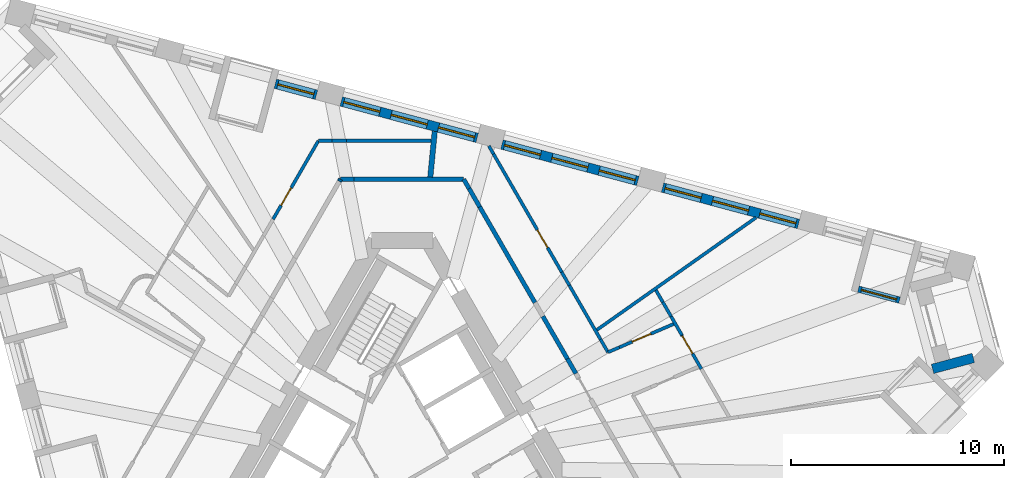
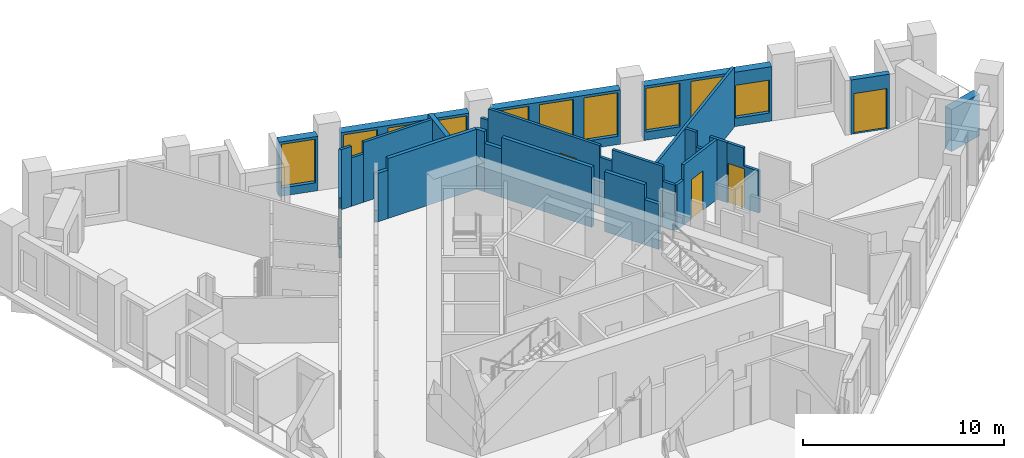
# One storey, part 8 of 13: 31 walls, 10 windows, 5 doors, 15 openings.
"""IFC4 building model written with IfcOpenShell, lengths in metres."""

from ifc_helpers import new_model, si_unit, direction, frame, frame_2d, origin, place, context, subcontext, project, spatial, polyline, rectangle, outline, extrude, material, layer, layer_set, type_object, element, fill, save


model = new_model("IFC4")

# Units and contexts
model_context = context("Model", 3, precision=1e-05, world=origin(), true_north=direction((0.0, 1.0)))
body_context = subcontext(model_context, "Body", "Model", "MODEL_VIEW")
ifc_project = project(units=[si_unit("LENGTHUNIT", "METRE"), si_unit("AREAUNIT", "SQUARE_METRE"), si_unit("VOLUMEUNIT", "CUBIC_METRE"), si_unit("PLANEANGLEUNIT", "RADIAN"), si_unit("MASSUNIT", "GRAM", prefix="KILO")], contexts=[model_context])

# Site, building, storey
site_placement = place(None, origin())
site = spatial("IfcSite", under=ifc_project, at=site_placement, CompositionType="ELEMENT")
building_placement = place(site_placement, origin())
building = spatial("IfcBuilding", under=site, at=building_placement, Name="Tramontana Tower", CompositionType="ELEMENT")
storey_placement = place(building_placement, frame((0.0, 0.0, 216.0)))
storey = spatial("IfcBuildingStorey", under=building, at=storey_placement, Name="L50", CompositionType="ELEMENT", Elevation=216.0)

# Walls
ifc_material_1 = material(Name="Blockwork", Category="masonry")
ifc_layer_1 = layer(ifc_material_1, 0.199951171875)
ifc_layer_set_1 = layer_set([ifc_layer_1], Name="ENTRY WALL 200")
wall_type_1 = type_object("IfcWallType", Name="ENTRY WALL 200", PredefinedType="SOLIDWALL", material=ifc_layer_set_1)
wall_1_placement = place(storey_placement, frame((2.88671875, 13.5, 0.0), z_axis=(0.0, 0.0, 1.0), x_axis=(0.500002592159, -0.866023907196, 0.0)))
element("IfcWall", 1, at=wall_1_placement, inside=storey, type_object=wall_type_1, Name="Wall v51-ew0-0", PredefinedType="SOLIDWALL", context=body_context, shape_type="SweptSolid", body=[
    extrude(rectangle(XDim=0.5029296875, YDim=0.199951171875, at=frame_2d((0.25146484375, 0.0))), origin(), (0.0, 0.0, 1.0), 3.64990234375),
])
wall_2_placement = place(storey_placement, frame((3.13818359375, 13.064453125, 0.0), z_axis=(0.0, 0.0, 1.0), x_axis=(0.500063959222, -0.865988473761, 0.0)))
element("IfcWall", 2, at=wall_2_placement, inside=storey, type_object=wall_type_1, Name="Wall v51-ew0-1", PredefinedType="SOLIDWALL", context=body_context, shape_type="SweptSolid", body=[
    extrude(rectangle(XDim=0.989990234375, YDim=0.199951171875, at=frame_2d((0.4951171875, 0.0))), origin(), (0.0, 0.0, 1.0), 2.949951171875),
])
wall_3_placement = place(storey_placement, frame((3.63330078125, 12.20703125, 0.0), z_axis=(0.0, 0.0, 1.0), x_axis=(0.499990271856, -0.866031020258, 0.0)))
element("IfcWall", 3, at=wall_3_placement, inside=storey, type_object=wall_type_1, Name="Wall v51-ew0-2", PredefinedType="SOLIDWALL", context=body_context, shape_type="SweptSolid", body=[
    extrude(rectangle(XDim=5.181640625, YDim=0.199951171875, at=frame_2d((2.5908203125, 0.0))), origin(), (0.0, 0.0, 1.0), 3.64990234375),
])
wall_4_placement = place(storey_placement, frame((6.594482421875, 7.077880859375, 0.0), z_axis=(0.0, 0.0, 1.0), x_axis=(0.500013761451, -0.866017458461, 0.0)))
element("IfcWall", 4, at=wall_4_placement, inside=storey, type_object=wall_type_1, Name="Wall v51-ew0-4", PredefinedType="SOLIDWALL", context=body_context, shape_type="SweptSolid", body=[
    extrude(rectangle(XDim=2.29736328125, YDim=0.199951171875, at=frame_2d((1.148681640625, 0.0))), origin(), (0.0, 0.0, 1.0), 3.64990234375),
])
wall_5_placement = place(storey_placement, frame((7.7431640625, 5.08837890625, 0.0), z_axis=(0.0, 0.0, 1.0), x_axis=(0.500109828528, -0.865961984968, 0.0)))
element("IfcWall", 5, at=wall_5_placement, inside=storey, type_object=wall_type_1, Name="Wall v51-ew0-5", PredefinedType="SOLIDWALL", context=body_context, shape_type="SweptSolid", body=[
    extrude(rectangle(XDim=0.800048828125, YDim=0.199951171875, at=frame_2d((0.39990234375, 0.0))), origin(), (0.0, 0.0, 1.0), 2.75),
])
wall_6_placement = place(storey_placement, frame((-2.939208984375, 13.4091796875, 0.0), z_axis=(0.0, 0.0, 1.0), x_axis=(0.500393920955, 0.865797853931, 0.0)))
element("IfcWall", 6, at=wall_6_placement, inside=storey, type_object=wall_type_1, Name="Wall v51-ew4-13", PredefinedType="SOLIDWALL", context=body_context, shape_type="SweptSolid", body=[
    extrude(rectangle(XDim=0.10498046875, YDim=0.199951171875, at=frame_2d((0.052490234375, 0.0))), origin(), (0.0, 0.0, 1.0), 2.949951171875),
])
wall_7_placement = place(storey_placement, frame((-2.88671875, 13.5, 0.0), z_axis=(0.0, 0.0, 1.0), x_axis=(1.0, 0.0, 0.0)))
element("IfcWall", 7, at=wall_7_placement, inside=storey, type_object=wall_type_1, Name="Wall v51-ew5-0", PredefinedType="SOLIDWALL", context=body_context, shape_type="SweptSolid", body=[
    extrude(rectangle(XDim=0.642822265625, YDim=0.199951171875, at=frame_2d((0.3212890625, 0.0))), origin(), (0.0, 0.0, 1.0), 2.949951171875),
])
wall_8_placement = place(storey_placement, frame((-2.243896484375, 13.5, 0.0), z_axis=(0.0, 0.0, 1.0), x_axis=(1.0, 0.0, 0.0)))
element("IfcWall", 8, at=wall_8_placement, inside=storey, type_object=wall_type_1, Name="Wall v51-ew5-1", PredefinedType="SOLIDWALL", context=body_context, shape_type="SweptSolid", body=[
    extrude(rectangle(XDim=5.130615234375, YDim=0.199951171875, at=frame_2d((2.5654296875, 0.0))), origin(), (0.0, 0.0, 1.0), 3.64990234375),
])

# Wall, openings, windows
ifc_material_2 = material(Name="Precast concrete 60 MPa", Category="concrete")
ifc_layer_2 = layer(ifc_material_2, 0.449951171875)
ifc_layer_set_2 = layer_set([ifc_layer_2], Name="Precast concrete 60 MPa, 450 mm")
wall_type_2 = type_object("IfcWallType", Name="EW1 Stone-faced precast wall 450", PredefinedType="SOLIDWALL", material=ifc_layer_set_2)
wall_9_placement = place(storey_placement, frame((18.573486328125, 11.406494140625, 0.0), z_axis=(0.0, 0.0, 1.0), x_axis=(-0.965921443251, 0.258835402268, 0.0)))
wall_9 = element("IfcWall", 9, at=wall_9_placement, inside=storey, type_object=wall_type_2, Name="External wall L50 face 2 bay 2", PredefinedType="SOLIDWALL", context=body_context, shape_type="SweptSolid", body=[
    extrude(rectangle(XDim=6.593994140625, YDim=0.449951171875, at=frame_2d((3.296875, 0.0))), origin(), (0.0, 0.0, 1.0), 3.300048828125),
])
opening_1_placement = place(wall_9_placement, frame((0.1240234375, 0.0, 0.5)))
opening_1 = element("IfcOpeningElement", 10, at=opening_1_placement, cuts=wall_9, Name="Opening M2L", PredefinedType="OPENING", context=body_context, shape_type="SweptSolid", body=[
    extrude(rectangle(XDim=1.75, YDim=2.0, at=frame_2d((0.875, 1.0))), frame((0.0, 0.23486328125, 0.0), z_axis=(0.0, -1.0, 0.0), x_axis=(1.0, 0.0, 0.0)), (0.0, 0.0, 1.0), 0.469970703125),
])
opening_2_placement = place(wall_9_placement, frame((2.422119140625, 0.0, 0.5)))
opening_2 = element("IfcOpeningElement", 11, at=opening_2_placement, cuts=wall_9, Name="Opening M2", PredefinedType="OPENING", context=body_context, shape_type="SweptSolid", body=[
    extrude(rectangle(XDim=1.75, YDim=2.64990234375, at=frame_2d((0.875, 1.324951171875))), frame((0.0, 0.23486328125, 0.0), z_axis=(0.0, -1.0, 0.0), x_axis=(1.0, 0.0, 0.0)), (0.0, 0.0, 1.0), 0.469970703125),
])
opening_3_placement = place(wall_9_placement, frame((4.72021484375, 0.0, 0.5)))
opening_3 = element("IfcOpeningElement", 12, at=opening_3_placement, cuts=wall_9, Name="Opening M2", PredefinedType="OPENING", context=body_context, shape_type="SweptSolid", body=[
    extrude(rectangle(XDim=1.75, YDim=2.64990234375, at=frame_2d((0.875, 1.324951171875))), frame((0.0, 0.23486328125, 0.0), z_axis=(0.0, -1.0, 0.0), x_axis=(1.0, 0.0, 0.0)), (0.0, 0.0, 1.0), 0.469970703125),
])
ifc_material_3 = material(Name="Aluminum frame, double glazing unit", Category="aluminium")
window_type_1 = type_object("IfcWindowType", Name="M2 Window 1.75 x 2.65", PartitioningType="SINGLE_PANEL", PredefinedType="WINDOW", material=ifc_material_3)
window_1_placement = place(opening_2_placement, origin())
window_1 = element("IfcWindow", 13, at=window_1_placement, inside=storey, type_object=window_type_1, Name="Window M2 L50 face 2 module 5", OverallHeight=2.64990234375, OverallWidth=1.75, PartitioningType="SINGLE_PANEL", PredefinedType="WINDOW", context=body_context, shape_type="SweptSolid", body=[
    extrude(rectangle(XDim=1.75, YDim=2.64990234375, at=frame_2d((0.875, 1.324951171875))), frame((0.0, 0.030029296875, 0.0), z_axis=(0.0, -1.0, 0.0), x_axis=(1.0, 0.0, 0.0)), (0.0, 0.0, 1.0), 0.06005859375),
])
fill(opening_2, window_1)
window_2_placement = place(opening_3_placement, origin())
window_2 = element("IfcWindow", 14, at=window_2_placement, inside=storey, type_object=window_type_1, Name="Window M2 L50 face 2 module 6", OverallHeight=2.64990234375, OverallWidth=1.75, PartitioningType="SINGLE_PANEL", PredefinedType="WINDOW", context=body_context, shape_type="SweptSolid", body=[
    extrude(rectangle(XDim=1.75, YDim=2.64990234375, at=frame_2d((0.875, 1.324951171875))), frame((0.0, 0.030029296875, 0.0), z_axis=(0.0, -1.0, 0.0), x_axis=(1.0, 0.0, 0.0)), (0.0, 0.0, 1.0), 0.06005859375),
])
fill(opening_3, window_2)
ifc_material_4 = material(Name="Aluminum frame, double glazing unit", Category="aluminium")
window_type_2 = type_object("IfcWindowType", Name="M2L Window 1.75 x 2", PartitioningType="SINGLE_PANEL", PredefinedType="WINDOW", material=ifc_material_4)
window_3_placement = place(opening_1_placement, origin())
window_3 = element("IfcWindow", 15, at=window_3_placement, inside=storey, type_object=window_type_2, Name="Window M2L L50 face 2 module 4", OverallHeight=2.0, OverallWidth=1.75, PartitioningType="SINGLE_PANEL", PredefinedType="WINDOW", context=body_context, shape_type="SweptSolid", body=[
    extrude(rectangle(XDim=1.75, YDim=2.0, at=frame_2d((0.875, 1.0))), frame((0.0, 0.030029296875, 0.0), z_axis=(0.0, -1.0, 0.0), x_axis=(1.0, 0.0, 0.0)), (0.0, 0.0, 1.0), 0.06005859375),
])
fill(opening_1, window_3)

wall_10_placement = place(storey_placement, frame((11.044921875, 13.423828125, 0.0), z_axis=(0.0, 0.0, 1.0), x_axis=(-0.965933178973, 0.258791602952, 0.0)))
wall_10 = element("IfcWall", 16, at=wall_10_placement, inside=storey, type_object=wall_type_2, Name="External wall L50 face 2 bay 3", PredefinedType="SOLIDWALL", context=body_context, shape_type="SweptSolid", body=[
    extrude(rectangle(XDim=6.59423828125, YDim=0.449951171875, at=frame_2d((3.297119140625, 0.0))), origin(), (0.0, 0.0, 1.0), 3.300048828125),
])
opening_4_placement = place(wall_10_placement, frame((0.1240234375, 0.0, 0.5)))
opening_4 = element("IfcOpeningElement", 17, at=opening_4_placement, cuts=wall_10, Name="Opening M2", PredefinedType="OPENING", context=body_context, shape_type="SweptSolid", body=[
    extrude(rectangle(XDim=1.75, YDim=2.64990234375, at=frame_2d((0.875, 1.324951171875))), frame((0.0, 0.23486328125, 0.0), z_axis=(0.0, -1.0, 0.0), x_axis=(1.0, 0.0, 0.0)), (0.0, 0.0, 1.0), 0.469970703125),
])
opening_5_placement = place(wall_10_placement, frame((2.422119140625, 0.0, 0.5)))
opening_5 = element("IfcOpeningElement", 18, at=opening_5_placement, cuts=wall_10, Name="Opening M2", PredefinedType="OPENING", context=body_context, shape_type="SweptSolid", body=[
    extrude(rectangle(XDim=1.75, YDim=2.64990234375, at=frame_2d((0.875, 1.324951171875))), frame((0.0, 0.23486328125, 0.0), z_axis=(0.0, -1.0, 0.0), x_axis=(1.0, 0.0, 0.0)), (0.0, 0.0, 1.0), 0.469970703125),
])
opening_6_placement = place(wall_10_placement, frame((4.72021484375, 0.0, 0.5)))
opening_6 = element("IfcOpeningElement", 19, at=opening_6_placement, cuts=wall_10, Name="Opening M2", PredefinedType="OPENING", context=body_context, shape_type="SweptSolid", body=[
    extrude(rectangle(XDim=1.75, YDim=2.64990234375, at=frame_2d((0.875, 1.324951171875))), frame((0.0, 0.23486328125, 0.0), z_axis=(0.0, -1.0, 0.0), x_axis=(1.0, 0.0, 0.0)), (0.0, 0.0, 1.0), 0.469970703125),
])
window_4_placement = place(opening_4_placement, origin())
window_4 = element("IfcWindow", 20, at=window_4_placement, inside=storey, type_object=window_type_1, Name="Window M2 L50 face 2 module 7", OverallHeight=2.64990234375, OverallWidth=1.75, PartitioningType="SINGLE_PANEL", PredefinedType="WINDOW", context=body_context, shape_type="SweptSolid", body=[
    extrude(rectangle(XDim=1.75, YDim=2.64990234375, at=frame_2d((0.875, 1.324951171875))), frame((0.0, 0.030029296875, 0.0), z_axis=(0.0, -1.0, 0.0), x_axis=(1.0, 0.0, 0.0)), (0.0, 0.0, 1.0), 0.06005859375),
])
fill(opening_4, window_4)
window_5_placement = place(opening_5_placement, origin())
window_5 = element("IfcWindow", 21, at=window_5_placement, inside=storey, type_object=window_type_1, Name="Window M2 L50 face 2 module 8", OverallHeight=2.64990234375, OverallWidth=1.75, PartitioningType="SINGLE_PANEL", PredefinedType="WINDOW", context=body_context, shape_type="SweptSolid", body=[
    extrude(rectangle(XDim=1.75, YDim=2.64990234375, at=frame_2d((0.875, 1.324951171875))), frame((0.0, 0.030029296875, 0.0), z_axis=(0.0, -1.0, 0.0), x_axis=(1.0, 0.0, 0.0)), (0.0, 0.0, 1.0), 0.06005859375),
])
fill(opening_5, window_5)
window_6_placement = place(opening_6_placement, origin())
window_6 = element("IfcWindow", 22, at=window_6_placement, inside=storey, type_object=window_type_1, Name="Window M2 L50 face 2 module 9", OverallHeight=2.64990234375, OverallWidth=1.75, PartitioningType="SINGLE_PANEL", PredefinedType="WINDOW", context=body_context, shape_type="SweptSolid", body=[
    extrude(rectangle(XDim=1.75, YDim=2.64990234375, at=frame_2d((0.875, 1.324951171875))), frame((0.0, 0.030029296875, 0.0), z_axis=(0.0, -1.0, 0.0), x_axis=(1.0, 0.0, 0.0)), (0.0, 0.0, 1.0), 0.06005859375),
])
fill(opening_6, window_6)

wall_11_placement = place(storey_placement, frame((3.516357421875, 15.441162109375, 0.0), z_axis=(0.0, 0.0, 1.0), x_axis=(-0.965933178973, 0.258791602952, 0.0)))
wall_11 = element("IfcWall", 23, at=wall_11_placement, inside=storey, type_object=wall_type_2, Name="External wall L50 face 2 bay 4", PredefinedType="SOLIDWALL", context=body_context, shape_type="SweptSolid", body=[
    extrude(rectangle(XDim=6.59423828125, YDim=0.449951171875, at=frame_2d((3.297119140625, 0.0))), origin(), (0.0, 0.0, 1.0), 3.300048828125),
])
opening_7_placement = place(wall_11_placement, frame((0.1240234375, 0.0, 0.5)))
opening_7 = element("IfcOpeningElement", 24, at=opening_7_placement, cuts=wall_11, Name="Opening M2", PredefinedType="OPENING", context=body_context, shape_type="SweptSolid", body=[
    extrude(rectangle(XDim=1.75, YDim=2.64990234375, at=frame_2d((0.875, 1.324951171875))), frame((0.0, 0.23486328125, 0.0), z_axis=(0.0, -1.0, 0.0), x_axis=(1.0, 0.0, 0.0)), (0.0, 0.0, 1.0), 0.469970703125),
])
opening_8_placement = place(wall_11_placement, frame((2.422119140625, 0.0, 0.5)))
opening_8 = element("IfcOpeningElement", 25, at=opening_8_placement, cuts=wall_11, Name="Opening M2", PredefinedType="OPENING", context=body_context, shape_type="SweptSolid", body=[
    extrude(rectangle(XDim=1.75, YDim=2.64990234375, at=frame_2d((0.875, 1.324951171875))), frame((0.0, 0.23486328125, 0.0), z_axis=(0.0, -1.0, 0.0), x_axis=(1.0, 0.0, 0.0)), (0.0, 0.0, 1.0), 0.469970703125),
])
opening_9_placement = place(wall_11_placement, frame((4.72021484375, 0.0, 0.5)))
opening_9 = element("IfcOpeningElement", 26, at=opening_9_placement, cuts=wall_11, Name="Opening M2", PredefinedType="OPENING", context=body_context, shape_type="SweptSolid", body=[
    extrude(rectangle(XDim=1.75, YDim=2.64990234375, at=frame_2d((0.875, 1.324951171875))), frame((0.0, 0.23486328125, 0.0), z_axis=(0.0, -1.0, 0.0), x_axis=(1.0, 0.0, 0.0)), (0.0, 0.0, 1.0), 0.469970703125),
])
window_7_placement = place(opening_7_placement, origin())
window_7 = element("IfcWindow", 27, at=window_7_placement, inside=storey, type_object=window_type_1, Name="Window M2 L50 face 2 module 10", OverallHeight=2.64990234375, OverallWidth=1.75, PartitioningType="SINGLE_PANEL", PredefinedType="WINDOW", context=body_context, shape_type="SweptSolid", body=[
    extrude(rectangle(XDim=1.75, YDim=2.64990234375, at=frame_2d((0.875, 1.324951171875))), frame((0.0, 0.030029296875, 0.0), z_axis=(0.0, -1.0, 0.0), x_axis=(1.0, 0.0, 0.0)), (0.0, 0.0, 1.0), 0.06005859375),
])
fill(opening_7, window_7)
window_8_placement = place(opening_8_placement, origin())
window_8 = element("IfcWindow", 28, at=window_8_placement, inside=storey, type_object=window_type_1, Name="Window M2 L50 face 2 module 11", OverallHeight=2.64990234375, OverallWidth=1.75, PartitioningType="SINGLE_PANEL", PredefinedType="WINDOW", context=body_context, shape_type="SweptSolid", body=[
    extrude(rectangle(XDim=1.75, YDim=2.64990234375, at=frame_2d((0.875, 1.324951171875))), frame((0.0, 0.030029296875, 0.0), z_axis=(0.0, -1.0, 0.0), x_axis=(1.0, 0.0, 0.0)), (0.0, 0.0, 1.0), 0.06005859375),
])
fill(opening_8, window_8)
window_9_placement = place(opening_9_placement, origin())
window_9 = element("IfcWindow", 29, at=window_9_placement, inside=storey, type_object=window_type_1, Name="Window M2 L50 face 2 module 12", OverallHeight=2.64990234375, OverallWidth=1.75, PartitioningType="SINGLE_PANEL", PredefinedType="WINDOW", context=body_context, shape_type="SweptSolid", body=[
    extrude(rectangle(XDim=1.75, YDim=2.64990234375, at=frame_2d((0.875, 1.324951171875))), frame((0.0, 0.030029296875, 0.0), z_axis=(0.0, -1.0, 0.0), x_axis=(1.0, 0.0, 0.0)), (0.0, 0.0, 1.0), 0.06005859375),
])
fill(opening_9, window_9)

# Wall, opening, window
wall_12_placement = place(storey_placement, frame((-4.012451171875, 17.458251953125, 0.0), z_axis=(0.0, 0.0, 1.0), x_axis=(-0.965899500874, 0.25891727291, 0.0)))
wall_12 = element("IfcWall", 30, at=wall_12_placement, inside=storey, type_object=wall_type_2, Name="External wall L50 face 2 bay 5", PredefinedType="SOLIDWALL", context=body_context, shape_type="SweptSolid", body=[
    extrude(rectangle(XDim=1.998046875, YDim=0.449951171875, at=frame_2d((0.9990234375, 0.0))), origin(), (0.0, 0.0, 1.0), 3.300048828125),
])
opening_10_placement = place(wall_12_placement, frame((0.1240234375, 0.0, 0.5)))
opening_10 = element("IfcOpeningElement", 31, at=opening_10_placement, cuts=wall_12, Name="Opening M2", PredefinedType="OPENING", context=body_context, shape_type="SweptSolid", body=[
    extrude(rectangle(XDim=1.75, YDim=2.64990234375, at=frame_2d((0.875, 1.324951171875))), frame((0.0, 0.23486328125, 0.0), z_axis=(0.0, -1.0, 0.0), x_axis=(1.0, 0.0, 0.0)), (0.0, 0.0, 1.0), 0.469970703125),
])
window_10_placement = place(opening_10_placement, origin())
window_10 = element("IfcWindow", 32, at=window_10_placement, inside=storey, type_object=window_type_1, Name="Window M2 L50 face 2 module 13", OverallHeight=2.64990234375, OverallWidth=1.75, PartitioningType="SINGLE_PANEL", PredefinedType="WINDOW", context=body_context, shape_type="SweptSolid", body=[
    extrude(rectangle(XDim=1.75, YDim=2.64990234375, at=frame_2d((0.875, 1.324951171875))), frame((0.0, 0.030029296875, 0.0), z_axis=(0.0, -1.0, 0.0), x_axis=(1.0, 0.0, 0.0)), (0.0, 0.0, 1.0), 0.06005859375),
])
fill(opening_10, window_10)

# Wall
wall_13_placement = place(storey_placement, frame((26.76416015625, 5.126708984375, 0.0), z_axis=(0.0, 0.0, 1.0), x_axis=(-0.965927127032, -0.258814190615, 0.0)))
element("IfcWall", 33, at=wall_13_placement, inside=storey, type_object=wall_type_2, Name="Corner loggia side wall L50 K52r", PredefinedType="SOLIDWALL", context=body_context, shape_type="SweptSolid", body=[
    extrude(rectangle(XDim=1.97900390625, YDim=0.449951171875, at=frame_2d((0.989501953125, 0.0))), origin(), (0.0, 0.0, 1.0), 2.550048828125),
])

# Wall, opening, door
ifc_material_5 = material(Name="Precast concrete 60 MPa", Category="concrete")
ifc_layer_3 = layer(ifc_material_5, 0.300048828125)
ifc_layer_set_3 = layer_set([ifc_layer_3], Name="LW1 Stone-faced loggia wall 300")
wall_type_3 = type_object("IfcWallType", Name="LW1 Stone-faced loggia wall 300", PredefinedType="SOLIDWALL", material=ifc_layer_set_3)
wall_14_placement = place(storey_placement, frame((23.306640625, 7.834716796875, 0.0), z_axis=(0.0, 0.0, 1.0), x_axis=(-0.965938235865, 0.258772727493, 0.0)))
wall_14 = element("IfcWall", 34, at=wall_14_placement, inside=storey, type_object=wall_type_3, Name="Loggia wall L50 G5S2.1", PredefinedType="SOLIDWALL", context=body_context, shape_type="SweptSolid", body=[
    extrude(rectangle(XDim=1.998291015625, YDim=0.300048828125, at=frame_2d((0.9990234375, 0.0))), origin(), (0.0, 0.0, 1.0), 3.300048828125),
])
opening_11_placement = place(wall_14_placement, frame((0.14892578125, 0.0, 0.0)))
opening_11 = element("IfcOpeningElement", 35, at=opening_11_placement, cuts=wall_14, Name="Opening BD-5S2-01", PredefinedType="OPENING", context=body_context, shape_type="SweptSolid", body=[
    extrude(rectangle(XDim=1.699951171875, YDim=2.449951171875, at=frame_2d((0.85009765625, 1.22509765625))), frame((0.0, 0.159912109375, 0.0), z_axis=(0.0, -1.0, 0.0), x_axis=(1.0, 0.0, 0.0)), (0.0, 0.0, 1.0), 0.320068359375),
])
ifc_material_6 = material(Name="Aluminum frame, double glazing unit", Category="aluminium")
door_type_1 = type_object("IfcDoorType", Name="BD2 Sliding door 1.7 x 2.45", OperationType="SLIDING_TO_LEFT", PredefinedType="DOOR", material=ifc_material_6)
door_1_placement = place(opening_11_placement, origin())
door_1 = element("IfcDoor", 36, at=door_1_placement, inside=storey, type_object=door_type_1, Name="Loggia door L50 G5S2.1", OperationType="SLIDING_TO_LEFT", OverallHeight=2.449951171875, OverallWidth=1.699951171875, PredefinedType="DOOR", context=body_context, shape_type="SweptSolid", body=[
    extrude(rectangle(XDim=1.699951171875, YDim=2.449951171875, at=frame_2d((0.85009765625, 1.22509765625))), frame((0.0, 0.02490234375, 0.0), z_axis=(0.0, -1.0, 0.0), x_axis=(1.0, 0.0, 0.0)), (0.0, 0.0, 1.0), 0.050048828125),
])
fill(opening_11, door_1)

ifc_material_7 = material(Name="Gypsum board partition")
ifc_layer_4 = layer(ifc_material_7, 0.14990234375)
ifc_layer_set_4 = layer_set([ifc_layer_4], Name="PARTITION 150")
wall_type_4 = type_object("IfcWallType", Name="PARTITION 150", PredefinedType="PARTITIONING", material=ifc_layer_set_4)
wall_15_placement = place(storey_placement, frame((-6.045654296875, 11.628662109375, 0.0), z_axis=(0.0, 0.0, 1.0), x_axis=(0.500016586593, 0.866015827298, 0.0)))
wall_15 = element("IfcWall", 37, at=wall_15_placement, inside=storey, type_object=wall_type_4, Name="Wall v51-pw29-4", PredefinedType="PARTITIONING", context=body_context, shape_type="SweptSolid", body=[
    extrude(rectangle(XDim=4.239013671875, YDim=0.14990234375, at=frame_2d((2.11962890625, 0.0))), origin(), (0.0, 0.0, 1.0), 3.64990234375),
])
opening_12_placement = place(wall_15_placement, frame((0.7490234375, 0.0, 0.0)))
opening_12 = element("IfcOpeningElement", 38, at=opening_12_placement, cuts=wall_15, Name="Opening B5B-04", PredefinedType="OPENING", context=body_context, shape_type="SweptSolid", body=[
    extrude(rectangle(XDim=0.949951171875, YDim=2.39990234375, at=frame_2d((0.47509765625, 1.199951171875))), frame((0.0, 0.0849609375, 0.0), z_axis=(0.0, -1.0, 0.0), x_axis=(1.0, 0.0, 0.0)), (0.0, 0.0, 1.0), 0.169921875),
])
ifc_material_8 = material(Name="Painted timber", Category="wood")
door_type_2 = type_object("IfcDoorType", Name="DOOR ROOM 950", OperationType="SINGLE_SWING_LEFT", PredefinedType="DOOR", material=ifc_material_8)
door_2_placement = place(opening_12_placement, origin())
door_2 = element("IfcDoor", 39, at=door_2_placement, inside=storey, type_object=door_type_2, Name="Door B5B-04", OperationType="SINGLE_SWING_RIGHT", OverallHeight=2.39990234375, OverallWidth=0.949951171875, PredefinedType="DOOR", context=body_context, shape_type="SweptSolid", body=[
    extrude(rectangle(XDim=0.949951171875, YDim=2.39990234375, at=frame_2d((0.47509765625, 1.199951171875))), frame((0.0, 0.02490234375, 0.0), z_axis=(0.0, -1.0, 0.0), x_axis=(1.0, 0.0, 0.0)), (0.0, 0.0, 1.0), 0.050048828125),
])
fill(opening_12, door_2)

# Walls
wall_16_placement = place(storey_placement, frame((-3.92578125, 15.300048828125, 0.0), z_axis=(0.0, 0.0, 1.0), x_axis=(1.0, 0.0, 0.0)))
element("IfcWall", 40, at=wall_16_placement, inside=storey, type_object=wall_type_4, Name="Wall v51-pw30-0", PredefinedType="PARTITIONING", context=body_context, shape_type="SweptSolid", body=[
    extrude(rectangle(XDim=0.63525390625, YDim=0.14990234375, at=frame_2d((0.317626953125, 0.0))), origin(), (0.0, 0.0, 1.0), 3.64990234375),
])
wall_17_placement = place(storey_placement, frame((-3.29052734375, 15.300048828125, 0.0), z_axis=(0.0, 0.0, 1.0), x_axis=(1.0, 0.0, 0.0)))
element("IfcWall", 41, at=wall_17_placement, inside=storey, type_object=wall_type_4, Name="Wall v51-pw30-1", PredefinedType="PARTITIONING", context=body_context, shape_type="SweptSolid", body=[
    extrude(rectangle(XDim=0.687255859375, YDim=0.14990234375, at=frame_2d((0.34375, 0.0))), origin(), (0.0, 0.0, 1.0), 2.949951171875),
])
wall_18_placement = place(storey_placement, frame((-2.603271484375, 15.300048828125, 0.0), z_axis=(0.0, 0.0, 1.0), x_axis=(1.0, 0.0, 0.0)))
element("IfcWall", 42, at=wall_18_placement, inside=storey, type_object=wall_type_4, Name="Wall v51-pw30-2", PredefinedType="PARTITIONING", context=body_context, shape_type="SweptSolid", body=[
    extrude(rectangle(XDim=3.962890625, YDim=0.14990234375, at=frame_2d((1.9814453125, 0.0))), origin(), (0.0, 0.0, 1.0), 3.64990234375),
])
wall_19_placement = place(storey_placement, frame((4.063720703125, 15.061279296875, 0.0), z_axis=(0.0, 0.0, 1.0), x_axis=(0.500027377864, -0.86600959659, 0.0)))
element("IfcWall", 43, at=wall_19_placement, inside=storey, type_object=wall_type_4, Name="Wall v51-pw54-0", PredefinedType="PARTITIONING", context=body_context, shape_type="SweptSolid", body=[
    extrude(rectangle(XDim=0.43896484375, YDim=0.14990234375, at=frame_2d((0.219482421875, 0.0))), origin(), (0.0, 0.0, 1.0), 2.949951171875),
])

# Wall, opening, door
wall_20_placement = place(storey_placement, frame((4.283203125, 14.68115234375, 0.0), z_axis=(0.0, 0.0, 1.0), x_axis=(0.500010206181, -0.866019511163, 0.0)))
wall_20 = element("IfcWall", 44, at=wall_20_placement, inside=storey, type_object=wall_type_4, Name="Wall v51-pw54-1", PredefinedType="PARTITIONING", context=body_context, shape_type="SweptSolid", body=[
    extrude(rectangle(XDim=6.389404296875, YDim=0.14990234375, at=frame_2d((3.19482421875, 0.0))), origin(), (0.0, 0.0, 1.0), 3.64990234375),
])
opening_13_placement = place(wall_20_placement, frame((4.109130859375, 0.0, 0.0)))
opening_13 = element("IfcOpeningElement", 45, at=opening_13_placement, cuts=wall_20, Name="Opening B5B-17", PredefinedType="OPENING", context=body_context, shape_type="SweptSolid", body=[
    extrude(rectangle(XDim=0.949951171875, YDim=2.39990234375, at=frame_2d((0.47509765625, 1.199951171875))), frame((0.0, 0.0849609375, 0.0), z_axis=(0.0, -1.0, 0.0), x_axis=(1.0, 0.0, 0.0)), (0.0, 0.0, 1.0), 0.169921875),
])
door_3_placement = place(opening_13_placement, origin())
door_3 = element("IfcDoor", 46, at=door_3_placement, inside=storey, type_object=door_type_2, Name="Door B5B-17", OperationType="SINGLE_SWING_LEFT", OverallHeight=2.39990234375, OverallWidth=0.949951171875, PredefinedType="DOOR", context=body_context, shape_type="SweptSolid", body=[
    extrude(rectangle(XDim=0.949951171875, YDim=2.39990234375, at=frame_2d((0.47509765625, 1.199951171875))), frame((0.0, 0.02490234375, 0.0), z_axis=(0.0, -1.0, 0.0), x_axis=(1.0, 0.0, 0.0)), (0.0, 0.0, 1.0), 0.050048828125),
])
fill(opening_13, door_3)

# Walls
wall_21_placement = place(storey_placement, frame((7.47802734375, 9.147705078125, 0.0), z_axis=(0.0, 0.0, 1.0), x_axis=(0.499998569178, -0.866026229868, 0.0)))
element("IfcWall", 47, at=wall_21_placement, inside=storey, type_object=wall_type_4, Name="Wall v51-pw54-2", PredefinedType="PARTITIONING", context=body_context, shape_type="SweptSolid", body=[
    extrude(rectangle(XDim=0.71435546875, YDim=0.14990234375, at=frame_2d((0.357177734375, 0.0))), origin(), (0.0, 0.0, 1.0), 2.949951171875),
])
wall_22_placement = place(storey_placement, frame((7.835205078125, 8.529052734375, 0.0), z_axis=(0.0, 0.0, 1.0), x_axis=(0.49998782916, -0.866032430508, 0.0)))
element("IfcWall", 48, at=wall_22_placement, inside=storey, type_object=wall_type_4, Name="Wall v51-pw54-3", PredefinedType="PARTITIONING", context=body_context, shape_type="SweptSolid", body=[
    extrude(rectangle(XDim=2.919921875, YDim=0.14990234375, at=frame_2d((1.4599609375, 0.0))), origin(), (0.0, 0.0, 1.0), 3.64990234375),
])
wall_23_placement = place(storey_placement, frame((9.295166015625, 6.000244140625, 0.0), z_axis=(0.0, 0.0, 1.0), x_axis=(0.49991492233, -0.866074517829, 0.0)))
element("IfcWall", 49, at=wall_23_placement, inside=storey, type_object=wall_type_4, Name="Wall v51-pw54-4", PredefinedType="PARTITIONING", context=body_context, shape_type="SweptSolid", body=[
    extrude(rectangle(XDim=0.6953125, YDim=0.14990234375, at=frame_2d((0.34765625, 0.0))), origin(), (0.0, 0.0, 1.0), 2.75),
])
wall_24_placement = place(storey_placement, frame((9.126708984375, 6.44189453125, 0.0), z_axis=(0.0, 0.0, 1.0), x_axis=(0.816989355672, 0.576652748817, 0.0)))
element("IfcWall", 50, at=wall_24_placement, inside=storey, type_object=wall_type_4, Name="Wall v51-pw58", PredefinedType="PARTITIONING", context=body_context, shape_type="SweptSolid", body=[
    extrude(rectangle(XDim=9.129150390625, YDim=0.14990234375, at=frame_2d((4.564453125, 0.0))), origin(), (0.0, 0.0, 1.0), 3.64990234375),
])
wall_25_placement = place(storey_placement, frame((9.646728515625, 5.396728515625, 0.0), z_axis=(0.0, 0.0, 1.0), x_axis=(0.91873168047, 0.394882386668, 0.0)))
element("IfcWall", 51, at=wall_25_placement, inside=storey, type_object=wall_type_4, Name="Wall v51-pw60-0", PredefinedType="PARTITIONING", context=body_context, shape_type="SweptSolid", body=[
    extrude(rectangle(XDim=0.5810546875, YDim=0.14990234375, at=frame_2d((0.29052734375, 0.0))), origin(), (0.0, 0.0, 1.0), 2.75),
])

# Wall, opening, door
wall_26_placement = place(storey_placement, frame((10.1806640625, 5.626220703125, 0.0), z_axis=(0.0, 0.0, 1.0), x_axis=(0.918784080303, 0.394760451138, 0.0)))
wall_26 = element("IfcWall", 52, at=wall_26_placement, inside=storey, type_object=wall_type_4, Name="Wall v51-pw60-1", PredefinedType="PARTITIONING", context=body_context, shape_type="SweptSolid", body=[
    extrude(rectangle(XDim=2.8369140625, YDim=0.14990234375, at=frame_2d((1.41845703125, 0.0))), origin(), (0.0, 0.0, 1.0), 3.64990234375),
])
opening_14_placement = place(wall_26_placement, frame((0.65283203125, 0.0, 0.0)))
opening_14 = element("IfcOpeningElement", 53, at=opening_14_placement, cuts=wall_26, Name="Opening B5B-13", PredefinedType="OPENING", context=body_context, shape_type="SweptSolid", body=[
    extrude(rectangle(XDim=0.949951171875, YDim=2.39990234375, at=frame_2d((0.47509765625, 1.199951171875))), frame((0.0, 0.0849609375, 0.0), z_axis=(0.0, -1.0, 0.0), x_axis=(1.0, 0.0, 0.0)), (0.0, 0.0, 1.0), 0.169921875),
])
door_4_placement = place(opening_14_placement, origin())
door_4 = element("IfcDoor", 54, at=door_4_placement, inside=storey, type_object=door_type_2, Name="Door B5B-13", OperationType="SINGLE_SWING_LEFT", OverallHeight=2.39990234375, OverallWidth=0.949951171875, PredefinedType="DOOR", context=body_context, shape_type="SweptSolid", body=[
    extrude(rectangle(XDim=0.949951171875, YDim=2.39990234375, at=frame_2d((0.47509765625, 1.199951171875))), frame((0.0, 0.02490234375, 0.0), z_axis=(0.0, -1.0, 0.0), x_axis=(1.0, 0.0, 0.0)), (0.0, 0.0, 1.0), 0.050048828125),
])
fill(opening_14, door_4)

# Walls
wall_27_placement = place(storey_placement, frame((11.892333984375, 8.302001953125, 0.0), z_axis=(0.0, 0.0, 1.0), x_axis=(0.499842556608, -0.866116284689, 0.0)))
element("IfcWall", 55, at=wall_27_placement, inside=storey, type_object=wall_type_4, Name="Wall v51-pw62-0", PredefinedType="PARTITIONING", context=body_context, shape_type="SweptSolid", body=[
    extrude(rectangle(XDim=0.645263671875, YDim=0.14990234375, at=frame_2d((0.32275390625, 0.0))), origin(), (0.0, 0.0, 1.0), 3.64990234375),
])
wall_28_placement = place(storey_placement, frame((12.21484375, 7.7431640625, 0.0), z_axis=(0.0, 0.0, 1.0), x_axis=(0.500204125617, -0.865907519724, 0.0)))
element("IfcWall", 56, at=wall_28_placement, inside=storey, type_object=wall_type_4, Name="Wall v51-pw62-1", PredefinedType="PARTITIONING", context=body_context, shape_type="SweptSolid", body=[
    extrude(rectangle(XDim=0.775146484375, YDim=0.14990234375, at=frame_2d((0.3876953125, 0.0))), origin(), (0.0, 0.0, 1.0), 2.75),
])
wall_29_placement = place(storey_placement, frame((12.6025390625, 7.072021484375, 0.0), z_axis=(0.0, 0.0, 1.0), x_axis=(0.499813337478, -0.866133146623, 0.0)))
element("IfcWall", 57, at=wall_29_placement, inside=storey, type_object=wall_type_4, Name="Wall v51-pw62-2", PredefinedType="PARTITIONING", context=body_context, shape_type="SweptSolid", body=[
    extrude(rectangle(XDim=1.0078125, YDim=0.14990234375, at=frame_2d((0.50390625, 0.0))), origin(), (0.0, 0.0, 1.0), 3.64990234375),
])

# Wall, opening, door
wall_30_placement = place(storey_placement, frame((13.106201171875, 6.19921875, 0.0), z_axis=(0.0, 0.0, 1.0), x_axis=(0.500011000363, -0.866019052629, 0.0)))
wall_30 = element("IfcWall", 58, at=wall_30_placement, inside=storey, type_object=wall_type_4, Name="Wall v51-pw62-3", PredefinedType="PARTITIONING", context=body_context, shape_type="SweptSolid", body=[
    extrude(outline(polyline([(0.0, 0.0), (1.8310546875, 0.0), (1.8310546875, 2.550048828125), (0.9423828125, 2.550048828125), (0.9423828125, 3.64990234375), (0.0, 3.64990234375), (0.0, 0.0)])), frame((0.0, 0.074951171875, 0.0), z_axis=(0.0, -1.0, 0.0), x_axis=(1.0, 0.0, 0.0)), (0.0, 0.0, 1.0), 0.14990234375),
])
opening_15_placement = place(wall_30_placement, frame((0.050048828125, 0.0, 0.0)))
opening_15 = element("IfcOpeningElement", 59, at=opening_15_placement, cuts=wall_30, Name="Opening B5B-15", PredefinedType="OPENING", context=body_context, shape_type="SweptSolid", body=[
    extrude(rectangle(XDim=0.949951171875, YDim=2.39990234375, at=frame_2d((0.47509765625, 1.199951171875))), frame((0.0, 0.0849609375, 0.0), z_axis=(0.0, -1.0, 0.0), x_axis=(1.0, 0.0, 0.0)), (0.0, 0.0, 1.0), 0.169921875),
])
door_5_placement = place(opening_15_placement, origin())
door_5 = element("IfcDoor", 60, at=door_5_placement, inside=storey, type_object=door_type_2, Name="Door B5B-15", OperationType="SINGLE_SWING_LEFT", OverallHeight=2.39990234375, OverallWidth=0.949951171875, PredefinedType="DOOR", context=body_context, shape_type="SweptSolid", body=[
    extrude(rectangle(XDim=0.949951171875, YDim=2.39990234375, at=frame_2d((0.47509765625, 1.199951171875))), frame((0.0, 0.02490234375, 0.0), z_axis=(0.0, -1.0, 0.0), x_axis=(1.0, 0.0, 0.0)), (0.0, 0.0, 1.0), 0.050048828125),
])
fill(opening_15, door_5)

# Wall
ifc_material_9 = material(Name="Blockwork", Category="masonry")
ifc_layer_5 = layer(ifc_material_9, 0.25)
ifc_layer_set_5 = layer_set([ifc_layer_5], Name="PARTY WALL 250")
wall_type_5 = type_object("IfcWallType", Name="PARTY WALL 250", PredefinedType="SOLIDWALL", material=ifc_layer_set_5)
wall_31_placement = place(storey_placement, frame((1.528076171875, 15.740966796875, 0.0), z_axis=(0.0, 0.0, 1.0), x_axis=(-0.096592624469, -0.995323999961, 0.0)))
element("IfcWall", 61, at=wall_31_placement, inside=storey, type_object=wall_type_5, Name="Wall v51-pw53", PredefinedType="SOLIDWALL", context=body_context, shape_type="SweptSolid", body=[
    extrude(rectangle(XDim=2.15087890625, YDim=0.25, at=frame_2d((1.075439453125, 0.0))), origin(), (0.0, 0.0, 1.0), 3.64990234375),
])

save(model, "model.ifc")
